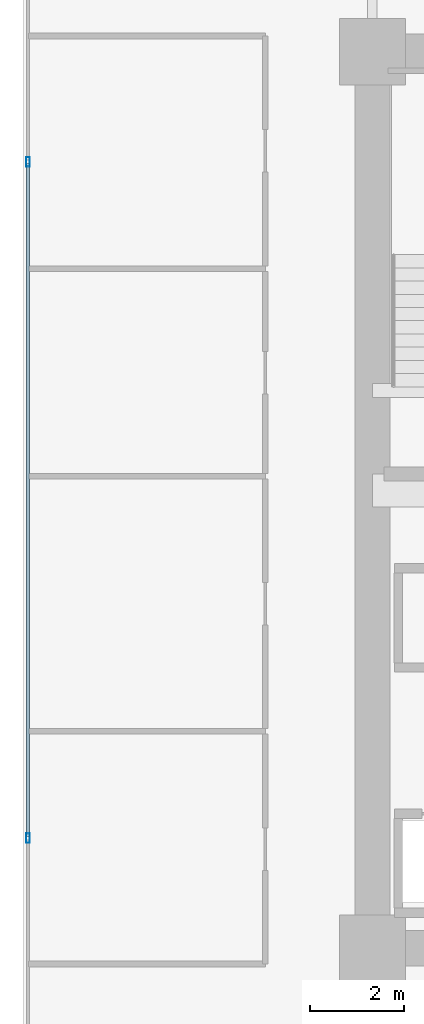
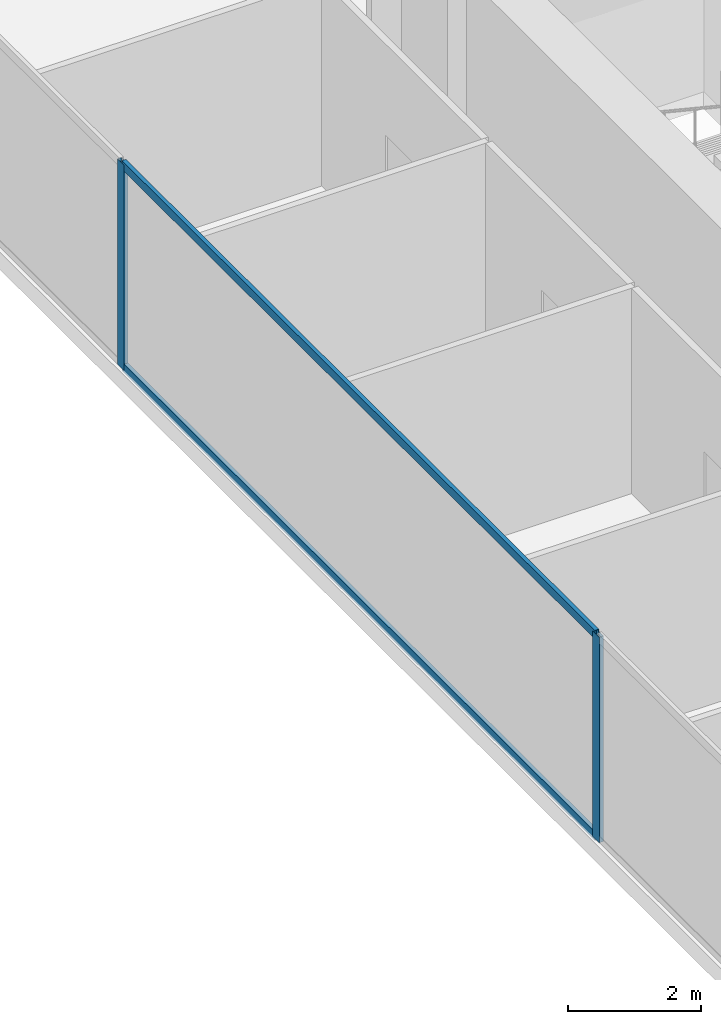
# One storey, part 6 of 35: 4 members, 1 element without a shape of its own.
"""IFC4 building model written with IfcOpenShell, lengths in metres."""

from ifc_helpers import new_model, si_unit, direction, frame, origin, origin_2d, place, context, subcontext, project, spatial, hollow_rectangle, extrude, source, transform, mapped, material, layer, layer_set, material_profile, profile_set, type_object, type_shapes, element, aggregate, save


model = new_model("IFC4")

# Units and contexts
model_context = context("Model", 3, precision=1e-05, world=origin(), true_north=direction((0.0, 1.0)))
body_context = subcontext(model_context, "Body", "Model", "MODEL_VIEW")
ifc_project = project(units=[si_unit("LENGTHUNIT", "METRE"), si_unit("AREAUNIT", "SQUARE_METRE"), si_unit("VOLUMEUNIT", "CUBIC_METRE"), si_unit("PLANEANGLEUNIT", "RADIAN"), si_unit("MASSUNIT", "GRAM", prefix="KILO")], contexts=[model_context])

# Site, building, storey
site_placement = place(None, origin())
site = spatial("IfcSite", under=ifc_project, at=site_placement, CompositionType="ELEMENT")
building_placement = place(site_placement, origin())
building = spatial("IfcBuilding", under=site, at=building_placement, Name="Haelvirn Gate Laboratories", CompositionType="ELEMENT")
storey_placement = place(building_placement, frame((0.0, 0.0, 90.800048828125)))
storey = spatial("IfcBuildingStorey", under=building, at=storey_placement, Name="L22", CompositionType="ELEMENT", Elevation=90.800048828125)

# Curtain wall, members
ifc_material_1 = material(Name="Anodised bronze unitised aluminium & triple low-E glass", Category="aluminium")
ifc_layer = layer(ifc_material_1, 0.18408203125, Name="CW-SYS-2")
ifc_layer_set = layer_set([ifc_layer], Name="Anodised bronze unitised aluminium & triple low-E glass")
curtain_wall_type = type_object("IfcCurtainWallType", Name="CW-SYS-2", PredefinedType="NOTDEFINED", material=ifc_layer_set)
curtain_wall_placement = place(storey_placement, origin())
curtain_wall = element("IfcCurtainWall", 1, at=curtain_wall_placement, inside=storey, type_object=curtain_wall_type, Name="L22 Unitised Curtain Wall CW-L22-P0-E17", PredefinedType="NOTDEFINED")
ifc_material_2 = material(Name="Extruded aluminium 6063-T6 (anodised bronze)", Category="aluminium")
ifc_material_profile_1 = material_profile(ifc_material_2, hollow_rectangle(XDim=0.074951171875, YDim=0.199951171875, WallThickness=0.0048828125, at=origin_2d()), Name="CWM-200x75x5")
ifc_profile_set_1 = profile_set([ifc_material_profile_1], Name="Extruded aluminium 6063-T6 (anodised bronze)")
member_type_1 = type_object("IfcMemberType", Name="CWM-T200", PredefinedType="MULLION", material=ifc_profile_set_1)
shared_shape_1 = source(origin(), body_context, "Body", "SweptSolid", [
    extrude(hollow_rectangle(XDim=0.074951171875, YDim=0.199951171875, WallThickness=0.0048828125, at=origin_2d()), origin(), (0.0, 0.0, 1.0), 3.780029296875),
])
type_shapes(member_type_1, [shared_shape_1])
member_1_placement = place(storey_placement, frame((0.10009765625, 31.466552734375, 0.0), z_axis=(0.0, 0.0, 1.0), x_axis=(1.0, 0.0, 0.0)))
member_1 = element("IfcMember", 2, at=member_1_placement, type_object=member_type_1, Name="CW2 mullion 2", PredefinedType="MULLION", context=body_context, shape_type="MappedRepresentation", body=[
    mapped(shared_shape_1, transform((0.0, 0.0, 0.0), scale=1.0)),
])
member_2_placement = place(storey_placement, frame((0.10009765625, 17.13330078125, 0.0), z_axis=(0.0, 0.0, 1.0), x_axis=(1.0, 0.0, 0.0)))
member_2 = element("IfcMember", 3, at=member_2_placement, type_object=member_type_1, Name="CW2 mullion 3", PredefinedType="MULLION", context=body_context, shape_type="MappedRepresentation", body=[
    mapped(shared_shape_1, transform((0.0, 0.0, 0.0), scale=1.0)),
])
ifc_material_profile_2 = material_profile(ifc_material_2, hollow_rectangle(XDim=0.070068359375, YDim=0.159912109375, WallThickness=0.0048828125, at=origin_2d()), Name="CWT-160x70x5")
ifc_profile_set_2 = profile_set([ifc_material_profile_2], Name="Extruded aluminium 6063-T6 (anodised bronze)")
member_type_2 = type_object("IfcMemberType", Name="CWT-T160", PredefinedType="USERDEFINED", material=ifc_profile_set_2)
shared_shape_2 = source(origin(), body_context, "Body", "SweptSolid", [
    extrude(hollow_rectangle(XDim=0.070068359375, YDim=0.159912109375, WallThickness=0.0048828125, at=origin_2d()), origin(), (0.0, 0.0, 1.0), 14.25830078125),
])
type_shapes(member_type_2, [shared_shape_2])
member_3_placement = place(storey_placement, frame((0.10009765625, 31.42919921875, 0.034912109375), z_axis=(0.0, -1.0, 0.0), x_axis=(1.0, 0.0, 0.0)))
member_3 = element("IfcMember", 4, at=member_3_placement, type_object=member_type_2, Name="CW2 transom 2.1", ObjectType="TRANSOM", PredefinedType="USERDEFINED", context=body_context, shape_type="MappedRepresentation", body=[
    mapped(shared_shape_2, transform((0.0, 0.0, 0.0), scale=1.0)),
])
member_4_placement = place(storey_placement, frame((0.10009765625, 31.42919921875, 3.744873046875), z_axis=(0.0, -1.0, 0.0), x_axis=(1.0, 0.0, 0.0)))
member_4 = element("IfcMember", 5, at=member_4_placement, type_object=member_type_2, Name="CW2 transom 2.2", ObjectType="TRANSOM", PredefinedType="USERDEFINED", context=body_context, shape_type="MappedRepresentation", body=[
    mapped(shared_shape_2, transform((0.0, 0.0, 0.0), scale=1.0)),
])
aggregate(curtain_wall, [member_1, member_2, member_3, member_4])

save(model, "model.ifc")
